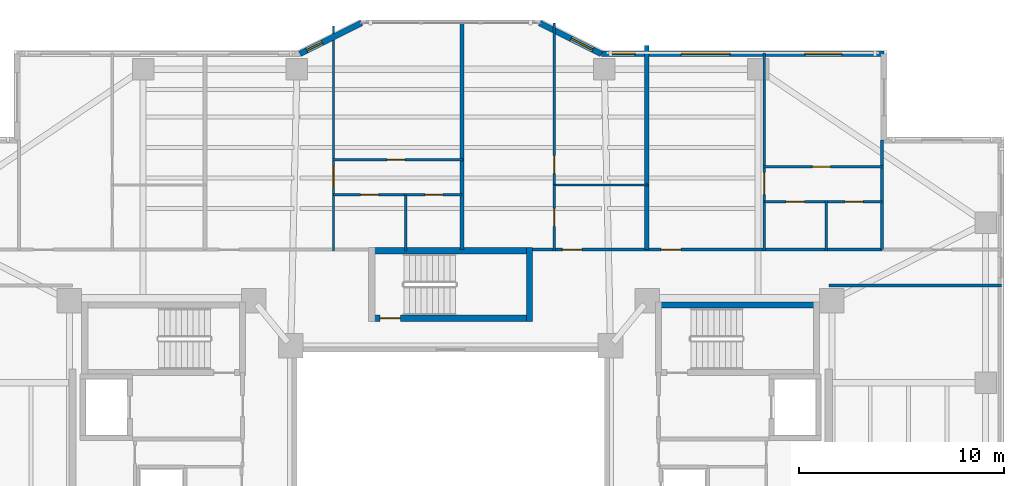
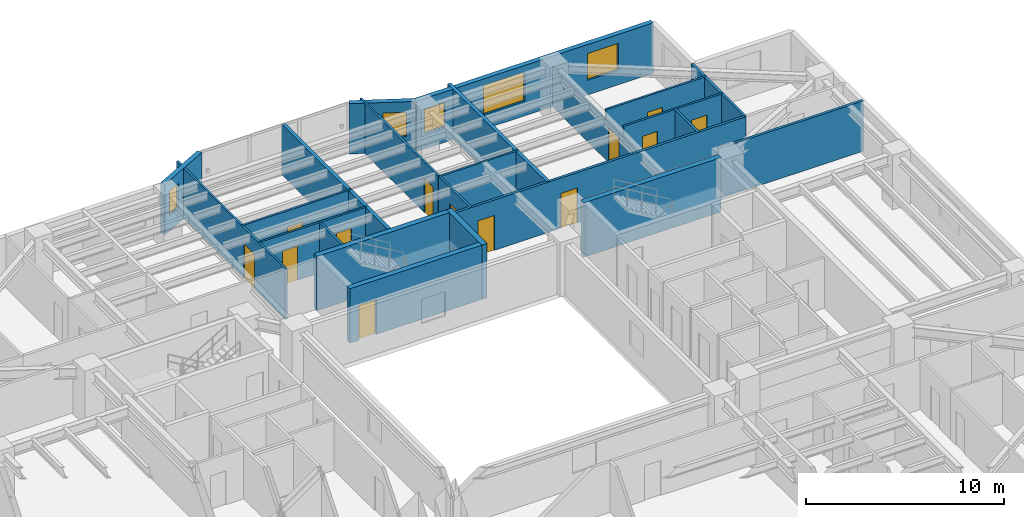
# One storey, part 10 of 18: 25 walls, 13 doors, 5 windows, 18 openings.
"""IFC4 building model written with IfcOpenShell, lengths in metres."""

import ifcopenshell
import ifcopenshell.guid

model = None  # the IFC model being written
_history = None  # IfcOwnerHistory: only IFC2X3 demands one
_inside = {}  # id of a spatial element -> (the spatial element, [elements in it])
_under = {}  # id of a project, library or spatial element -> (it, [spatial elements below it])
_declared = {}  # id of a project -> (the project, [libraries it declares])
_typed = {}  # id of a type object -> (the type object, [elements of that type])
_made_of = {}  # id of a material, layer set ... -> (it, [elements and type objects made of it])


def new_model(schema):
    """Start an empty IFC model of exactly this schema.

    Asked for "IFC4X3", IfcOpenShell would pick the latest addendum, in which some entities
    have other attributes; the version numbers below select the first issue.
    IFC2X3 requires an IfcOwnerHistory on every rooted entity: one is made here for all.
    """
    global model, _history
    if schema == "IFC4X3":
        model = ifcopenshell.file(schema_version=(4, 3, 0, 0))
    else:
        model = ifcopenshell.file(schema=schema)
    _inside.clear()
    _under.clear()
    _declared.clear()
    _typed.clear()
    _made_of.clear()
    _history = None
    if model.schema == "IFC2X3":
        org = make("IfcOrganization", Name="unknown")
        user = make(
            "IfcPersonAndOrganization",
            ThePerson=make("IfcPerson", FamilyName="unknown"),
            TheOrganization=org,
        )
        app = make(
            "IfcApplication",
            ApplicationDeveloper=org,
            Version="unknown",
            ApplicationFullName="unknown",
            ApplicationIdentifier="unknown",
        )
        _history = make(
            "IfcOwnerHistory",
            OwningUser=user,
            OwningApplication=app,
            ChangeAction="ADDED",
            CreationDate=0,
        )
    return model


def make(cls, **values):
    """One entity of the class cls with the attributes given. An attribute that is None is left unset."""
    return model.create_entity(
        cls, **{name: value for name, value in values.items() if value is not None}
    )


def rooted(cls, **values):
    """An entity with a GlobalId (a new one), such as an element, a storey or a relation."""
    return make(cls, GlobalId=ifcopenshell.guid.new(), OwnerHistory=_history, **values)


def si_unit(unit_type, name, prefix=None):
    """IfcSIUnit, for example si_unit("LENGTHUNIT", "METRE", prefix="MILLI")."""
    return make("IfcSIUnit", UnitType=unit_type, Prefix=prefix, Name=name)


def assignment(units):
    """IfcUnitAssignment: the units of a project."""
    return None if units is None else make("IfcUnitAssignment", Units=units)


def point(xyz):
    """IfcCartesianPoint."""
    return None if xyz is None else make("IfcCartesianPoint", Coordinates=xyz)


def direction(xyz):
    """IfcDirection."""
    return None if xyz is None else make("IfcDirection", DirectionRatios=xyz)


def frame(location, z_axis=None, x_axis=None):
    """IfcAxis2Placement3D, a coordinate frame: its origin and axes. An axis left out is left unset."""
    return make(
        "IfcAxis2Placement3D",
        Location=point(location),
        Axis=direction(z_axis),
        RefDirection=direction(x_axis),
    )


def frame_2d(location, x_axis=None):
    """IfcAxis2Placement2D, a coordinate frame in the plane: its origin and x axis."""
    return make(
        "IfcAxis2Placement2D", Location=point(location), RefDirection=direction(x_axis)
    )


def origin():
    """The frame at (0, 0, 0) with its axes left unset."""
    return frame((0.0, 0.0, 0.0))


def place(relative_to, where):
    """IfcLocalPlacement: puts the frame where relative to a parent placement (None: the world)."""
    return make(
        "IfcLocalPlacement", PlacementRelTo=relative_to, RelativePlacement=where
    )


def context(
    kind, dimensions, precision=None, world=None, true_north=None, identifier=None
):
    """IfcGeometricRepresentationContext, for example the 3D "Model" context."""
    return make(
        "IfcGeometricRepresentationContext",
        ContextIdentifier=identifier,
        ContextType=kind,
        CoordinateSpaceDimension=dimensions,
        Precision=precision,
        WorldCoordinateSystem=world,
        TrueNorth=true_north,
    )


def subcontext(parent, identifier, kind, view, scale=None):
    """IfcGeometricRepresentationSubContext, for example "Body" below "Model"."""
    return make(
        "IfcGeometricRepresentationSubContext",
        ContextIdentifier=identifier,
        ContextType=kind,
        ParentContext=parent,
        TargetScale=scale,
        TargetView=view,
    )


def project(units=None, contexts=None):
    """IfcProject with its units and contexts."""
    return rooted(
        "IfcProject",
        Name="project",
        RepresentationContexts=contexts,
        UnitsInContext=assignment(units),
    )


def spatial(cls, under=None, at=None, **own):
    """A site, building, storey or space (cls), placed at a placement, below another one or the project."""
    s = rooted(cls, ObjectPlacement=at, **own)
    if under is not None:
        _under.setdefault(under.id(), (under, []))[1].append(s)
    return s


def profile(cls, at=None, kind="AREA", **sizes):
    """A parametric profile (cls). Its sizes go by their IFC names, for example OverallWidth=200.0."""
    return make(cls, ProfileType=kind, Position=at, **sizes)


def rectangle(**sizes):
    """IfcRectangleProfileDef."""
    return profile("IfcRectangleProfileDef", **sizes)


def extrude(swept, where, along, depth):
    """IfcExtrudedAreaSolid: the profile swept, set in the frame where, extruded along a direction by depth."""
    return make(
        "IfcExtrudedAreaSolid",
        SweptArea=swept,
        Position=where,
        ExtrudedDirection=direction(along),
        Depth=depth,
    )


def shape(context_of_items, identifier, shape_type, items):
    """IfcShapeRepresentation: the items that make up one representation, for example the "Body"."""
    return make(
        "IfcShapeRepresentation",
        ContextOfItems=context_of_items,
        RepresentationIdentifier=identifier,
        RepresentationType=shape_type,
        Items=items,
    )


def material(Name=None, Category=None):
    """IfcMaterial."""
    return make("IfcMaterial", Name=Name, Category=Category)


def layer(
    of_material, thickness, ventilated=None, Name=None, Category=None, Priority=None
):
    """IfcMaterialLayer: one layer of a wall or slab, of a material (None: an air gap)."""
    return make(
        "IfcMaterialLayer",
        Material=of_material,
        LayerThickness=thickness,
        IsVentilated=ventilated,
        Name=Name,
        Category=Category,
        Priority=Priority,
    )


def layer_set(layers, Name=None):
    """IfcMaterialLayerSet."""
    return make("IfcMaterialLayerSet", MaterialLayers=layers, LayerSetName=Name)


def made_of(thing, what):
    """Note that an element or type object is made of a material, layer set ...; save() writes the relation."""
    if what is not None:
        _made_of.setdefault(what.id(), (what, []))[1].append(thing)
    return thing


def type_object(cls, material=None, **own):
    """A type object (cls), such as IfcWallType, which elements share."""
    return made_of(rooted(cls, **own), material)


def element(
    cls,
    number,
    at=None,
    inside=None,
    cuts=None,
    type_object=None,
    material=None,
    context=None,
    identifier="Body",
    shape_type=None,
    held_by="IfcProductDefinitionShape",
    body=None,
    shapes=None,
    **own,
):
    """One element of the class cls, such as IfcWall. Its Tag is "e" and its number.

    at: its placement. inside: the storey or other place that contains it. cuts: it is an
    opening in that element (IfcRelVoidsElement). A single representation is given by context,
    identifier, shape_type and body (its items); several are given by shapes. held_by: the class
    of the entity that holds the representations. save() writes the other relations.
    """
    e = rooted(cls, Tag="e%d" % number, ObjectPlacement=at, **own)
    if body is not None:
        shapes = [shape(context, identifier, shape_type, body)]
    if shapes is not None:
        e.Representation = make(held_by, Representations=shapes)
    if inside is not None:
        _inside.setdefault(inside.id(), (inside, []))[1].append(e)
    if cuts is not None:
        rooted(
            "IfcRelVoidsElement", RelatingBuildingElement=cuts, RelatedOpeningElement=e
        )
    if type_object is not None:
        _typed.setdefault(type_object.id(), (type_object, []))[1].append(e)
    return made_of(e, material)


def fill(opening, filler):
    """IfcRelFillsElement: the door or window that sits in an opening."""
    return rooted(
        "IfcRelFillsElement",
        RelatingOpeningElement=opening,
        RelatedBuildingElement=filler,
    )


def aggregate(whole, parts):
    """IfcRelAggregates: a whole, such as a stair, and the parts it consists of."""
    return rooted("IfcRelAggregates", RelatingObject=whole, RelatedObjects=parts)


def save(model, path):
    """Write the relations noted so far, then the file.

    IfcRelAggregates (storeys below a building ...), IfcRelContainedInSpatialStructure (elements
    in a storey), IfcRelDefinesByType, IfcRelAssociatesMaterial and IfcRelDeclares: one each for
    every whole, place, type object, material and project.
    """
    for whole, parts in _under.values():
        aggregate(whole, parts)
    for where, things in _inside.values():
        rooted(
            "IfcRelContainedInSpatialStructure",
            RelatedElements=things,
            RelatingStructure=where,
        )
    for kind, things in _typed.values():
        rooted("IfcRelDefinesByType", RelatedObjects=things, RelatingType=kind)
    for what, things in _made_of.values():
        rooted("IfcRelAssociatesMaterial", RelatedObjects=things, RelatingMaterial=what)
    for by, libraries in _declared.values():
        rooted("IfcRelDeclares", RelatingContext=by, RelatedDefinitions=libraries)
    model.write(path)


model = new_model("IFC4")

# Units and contexts
model_context = context("Model", 3, precision=1e-05, world=origin(), true_north=direction((0.0, 1.0)))
body_context = subcontext(model_context, "Body", "Model", "MODEL_VIEW")
ifc_project = project(units=[si_unit("LENGTHUNIT", "METRE"), si_unit("AREAUNIT", "SQUARE_METRE"), si_unit("VOLUMEUNIT", "CUBIC_METRE"), si_unit("PLANEANGLEUNIT", "RADIAN"), si_unit("MASSUNIT", "GRAM", prefix="KILO")], contexts=[model_context])

# Site, building, storey
site_placement = place(None, origin())
site = spatial("IfcSite", under=ifc_project, at=site_placement, CompositionType="ELEMENT")
building_placement = place(site_placement, origin())
building = spatial("IfcBuilding", under=site, at=building_placement, Name="Tarnavaz Court Tower", CompositionType="ELEMENT")
storey_placement = place(building_placement, frame((0.0, 0.0, 101.75)))
storey = spatial("IfcBuildingStorey", under=building, at=storey_placement, Name="L27", CompositionType="ELEMENT", Elevation=101.75)

# Walls
ifc_material_1 = material(Name="Concrete C60/75", Category="concrete")
ifc_layer_1 = layer(ifc_material_1, 0.300048828125)
ifc_layer_set_1 = layer_set([ifc_layer_1], Name="Concrete C60/75")
wall_type_1 = type_object("IfcWallType", Name="WL-CORE-300-C60", PredefinedType="SHEAR", material=ifc_layer_set_1)
for number, where, z_axis, x_axis, name in (
    (1, (10.0, 9.7900390625, 0.0), (0.0, 0.0, 1.0), (1.0, 0.0, 0.0), "L27 East Stair Core Wall 005"),
    (2, (-4.0, 12.43994140625, 0.0), (0.0, 0.0, 1.0), (1.0, 0.0, 0.0), "L27 North Stair Core Wall 009"),
):
    element("IfcWall", number, at=place(storey_placement, frame(where, z_axis=z_axis, x_axis=x_axis)), inside=storey, type_object=wall_type_1, Name=name, PredefinedType="SHEAR", context=body_context, shape_type="SweptSolid", body=[
        extrude(rectangle(XDim=8.0, YDim=0.300048828125, at=frame_2d((4.0, 0.0))), origin(), (0.0, 0.0, 1.0), 3.35009765625),
    ])

# Wall, opening, door
wall_1_placement = place(storey_placement, frame((-4.0, 9.14990234375, 0.0), z_axis=(0.0, 0.0, 1.0), x_axis=(1.0, 0.0, 0.0)))
wall_1 = element("IfcWall", 3, at=wall_1_placement, inside=storey, type_object=wall_type_1, Name="L27 North Stair Core Wall 010", PredefinedType="SHEAR", context=body_context, shape_type="SweptSolid", body=[
    extrude(rectangle(XDim=8.0, YDim=0.300048828125, at=frame_2d((4.0, 0.0))), origin(), (0.0, 0.0, 1.0), 3.35009765625),
])
opening_1_placement = place(wall_1_placement, frame((0.550048828125, 0.0, 0.0)))
opening_1 = element("IfcOpeningElement", 4, at=opening_1_placement, cuts=wall_1, Name="Opening D01", PredefinedType="OPENING", context=body_context, shape_type="SweptSolid", body=[
    extrude(rectangle(XDim=1.0, YDim=2.14990234375, at=frame_2d((0.5, 1.074951171875))), frame((0.0, 0.159912109375, 0.0), z_axis=(0.0, -1.0, 0.0), x_axis=(1.0, 0.0, 0.0)), (0.0, 0.0, 1.0), 0.320068359375),
])
ifc_material_2 = material(Name="Fire-Rated Hardwood Timber Core", Category="wood")
door_type_1 = type_object("IfcDoorType", Name="DR-FD90-1000", OperationType="NOTDEFINED", PredefinedType="DOOR", material=ifc_material_2)
door_1_placement = place(opening_1_placement, origin())
door_1 = element("IfcDoor", 5, at=door_1_placement, inside=storey, type_object=door_type_1, Name="L27 Stair ST-N1 Exit Door", OperationType="SINGLE_SWING_LEFT", OverallHeight=2.14990234375, OverallWidth=1.0, PredefinedType="DOOR", context=body_context, shape_type="SweptSolid", body=[
    extrude(rectangle(XDim=1.0, YDim=2.14990234375, at=frame_2d((0.5, 1.074951171875))), frame((0.0, 0.02490234375, 0.0), z_axis=(0.0, -1.0, 0.0), x_axis=(1.0, 0.0, 0.0)), (0.0, 0.0, 1.0), 0.050048828125),
])
fill(opening_1, door_1)

# Wall
wall_2_placement = place(storey_placement, frame((3.85009765625, 9.0, 0.0), z_axis=(0.0, 0.0, 1.0), x_axis=(0.0, 1.0, 0.0)))
element("IfcWall", 6, at=wall_2_placement, inside=storey, type_object=wall_type_1, Name="L27 North Stair Core Wall 012", PredefinedType="SHEAR", context=body_context, shape_type="SweptSolid", body=[
    extrude(rectangle(XDim=3.590087890625, YDim=0.300048828125, at=frame_2d((1.794921875, 0.0))), origin(), (0.0, 0.0, 1.0), 3.35009765625),
])

# Wall, opening, window
ifc_material_3 = material(Name="Precast Concrete C40/50", Category="concrete")
ifc_layer_2 = layer(ifc_material_3, 0.280029296875)
ifc_layer_set_2 = layer_set([ifc_layer_2], Name="Precast Concrete C40/50")
wall_type_2 = type_object("IfcWallType", Name="WL-EXT-280", PredefinedType="SOLIDWALL", material=ifc_layer_set_2)
wall_3_placement = place(storey_placement, frame((-7.35009765625, 22.050048828125, 0.0), z_axis=(0.0, 0.0, 1.0), x_axis=(0.894427191, 0.4472135955, 0.0)))
wall_3 = element("IfcWall", 7, at=wall_3_placement, inside=storey, type_object=wall_type_2, Name="L27 Exterior Terracotta Facade Wall 06", PredefinedType="SOLIDWALL", context=body_context, shape_type="SweptSolid", body=[
    extrude(rectangle(XDim=3.35400390625, YDim=0.280029296875, at=frame_2d((1.677001953125, 0.0))), origin(), (0.0, 0.0, 1.0), 3.10009765625),
])
opening_2_placement = place(wall_3_placement, frame((0.370849609375, 0.0, 0.949951171875)))
opening_2 = element("IfcOpeningElement", 8, at=opening_2_placement, cuts=wall_3, Name="Opening W15", PredefinedType="OPENING", context=body_context, shape_type="SweptSolid", body=[
    extrude(rectangle(XDim=0.85009765625, YDim=1.5, at=frame_2d((0.425048828125, 0.75))), frame((0.0, 0.14990234375, 0.0), z_axis=(0.0, -1.0, 0.0), x_axis=(1.0, 0.0, 0.0)), (0.0, 0.0, 1.0), 0.300048828125),
])
ifc_material_4 = material(Name="Double-Glazed Solar Low-E Glass", Category="glass")
window_type_1 = type_object("IfcWindowType", Name="WN-APT-850", PartitioningType="SINGLE_PANEL", PredefinedType="WINDOW", material=ifc_material_4)
window_1_placement = place(opening_2_placement, origin())
window_1 = element("IfcWindow", 9, at=window_1_placement, inside=storey, type_object=window_type_1, Name="L27 Flat 02 Living and Dining Room Window", OverallHeight=1.5, OverallWidth=0.85009765625, PartitioningType="SINGLE_PANEL", PredefinedType="WINDOW", context=body_context, shape_type="SweptSolid", body=[
    extrude(rectangle(XDim=0.85009765625, YDim=1.5, at=frame_2d((0.425048828125, 0.75))), frame((0.0, 0.030029296875, 0.0), z_axis=(0.0, -1.0, 0.0), x_axis=(1.0, 0.0, 0.0)), (0.0, 0.0, 1.0), 0.06005859375),
])
fill(opening_2, window_1)

wall_4_placement = place(storey_placement, frame((4.35009765625, 23.550048828125, 0.0), z_axis=(0.0, 0.0, 1.0), x_axis=(0.894427191, -0.4472135955, 0.0)))
wall_4 = element("IfcWall", 10, at=wall_4_placement, inside=storey, type_object=wall_type_2, Name="L27 Exterior Terracotta Facade Wall 08", PredefinedType="SOLIDWALL", context=body_context, shape_type="SweptSolid", body=[
    extrude(rectangle(XDim=3.35400390625, YDim=0.280029296875, at=frame_2d((1.677001953125, 0.0))), origin(), (0.0, 0.0, 1.0), 3.10009765625),
])
opening_3_placement = place(wall_4_placement, frame((1.702880859375, 0.0, 0.949951171875)))
opening_3 = element("IfcOpeningElement", 11, at=opening_3_placement, cuts=wall_4, Name="Opening W05", PredefinedType="OPENING", context=body_context, shape_type="SweptSolid", body=[
    extrude(rectangle(XDim=1.199951171875, YDim=1.5, at=frame_2d((0.60009765625, 0.75))), frame((0.0, 0.14990234375, 0.0), z_axis=(0.0, -1.0, 0.0), x_axis=(1.0, 0.0, 0.0)), (0.0, 0.0, 1.0), 0.300048828125),
])
window_type_2 = type_object("IfcWindowType", Name="WN-APT-1200", PartitioningType="SINGLE_PANEL", PredefinedType="WINDOW", material=ifc_material_4)
window_2_placement = place(opening_3_placement, origin())
window_2 = element("IfcWindow", 12, at=window_2_placement, inside=storey, type_object=window_type_2, Name="L27 Flat 03 Kitchen Window", OverallHeight=1.5, OverallWidth=1.199951171875, PartitioningType="SINGLE_PANEL", PredefinedType="WINDOW", context=body_context, shape_type="SweptSolid", body=[
    extrude(rectangle(XDim=1.199951171875, YDim=1.5, at=frame_2d((0.60009765625, 0.75))), frame((0.0, 0.030029296875, 0.0), z_axis=(0.0, -1.0, 0.0), x_axis=(1.0, 0.0, 0.0)), (0.0, 0.0, 1.0), 0.06005859375),
])
fill(opening_3, window_2)

# Wall, openings, windows
wall_5_placement = place(storey_placement, frame((7.35009765625, 22.050048828125, 0.0), z_axis=(0.0, 0.0, 1.0), x_axis=(1.0, 0.0, 0.0)))
wall_5 = element("IfcWall", 13, at=wall_5_placement, inside=storey, type_object=wall_type_2, Name="L27 Exterior Terracotta Facade Wall 09", PredefinedType="SOLIDWALL", context=body_context, shape_type="SweptSolid", body=[
    extrude(rectangle(XDim=13.7998046875, YDim=0.280029296875, at=frame_2d((6.89990234375, 0.0))), origin(), (0.0, 0.0, 1.0), 3.10009765625),
])
opening_4_placement = place(wall_5_placement, frame((0.453857421875, 0.0, 0.949951171875)))
opening_4 = element("IfcOpeningElement", 14, at=opening_4_placement, cuts=wall_5, Name="Opening W05", PredefinedType="OPENING", context=body_context, shape_type="SweptSolid", body=[
    extrude(rectangle(XDim=1.199951171875, YDim=1.5, at=frame_2d((0.60009765625, 0.75))), frame((0.0, 0.14990234375, 0.0), z_axis=(0.0, -1.0, 0.0), x_axis=(1.0, 0.0, 0.0)), (0.0, 0.0, 1.0), 0.300048828125),
])
opening_5_placement = place(wall_5_placement, frame((3.8935546875, 0.0, 0.89990234375)))
opening_5 = element("IfcOpeningElement", 15, at=opening_5_placement, cuts=wall_5, Name="Opening W06", PredefinedType="OPENING", context=body_context, shape_type="SweptSolid", body=[
    extrude(rectangle(XDim=2.39990234375, YDim=1.800048828125, at=frame_2d((1.199951171875, 0.89990234375))), frame((0.0, 0.14990234375, 0.0), z_axis=(0.0, -1.0, 0.0), x_axis=(1.0, 0.0, 0.0)), (0.0, 0.0, 1.0), 0.300048828125),
])
opening_6_placement = place(wall_5_placement, frame((9.939208984375, 0.0, 0.89990234375)))
opening_6 = element("IfcOpeningElement", 16, at=opening_6_placement, cuts=wall_5, Name="Opening W01", PredefinedType="OPENING", context=body_context, shape_type="SweptSolid", body=[
    extrude(rectangle(XDim=1.800048828125, YDim=1.64990234375, at=frame_2d((0.89990234375, 0.824951171875))), frame((0.0, 0.14990234375, 0.0), z_axis=(0.0, -1.0, 0.0), x_axis=(1.0, 0.0, 0.0)), (0.0, 0.0, 1.0), 0.300048828125),
])
window_3_placement = place(opening_4_placement, origin())
window_3 = element("IfcWindow", 17, at=window_3_placement, inside=storey, type_object=window_type_2, Name="L27 Flat 03 Kitchen Window", OverallHeight=1.5, OverallWidth=1.199951171875, PartitioningType="SINGLE_PANEL", PredefinedType="WINDOW", context=body_context, shape_type="SweptSolid", body=[
    extrude(rectangle(XDim=1.199951171875, YDim=1.5, at=frame_2d((0.60009765625, 0.75))), frame((0.0, 0.030029296875, 0.0), z_axis=(0.0, -1.0, 0.0), x_axis=(1.0, 0.0, 0.0)), (0.0, 0.0, 1.0), 0.06005859375),
])
fill(opening_4, window_3)
window_type_3 = type_object("IfcWindowType", Name="WN-APT-1800", PartitioningType="DOUBLE_PANEL_VERTICAL", PredefinedType="WINDOW", material=ifc_material_4)
window_4_placement = place(opening_6_placement, origin())
window_4 = element("IfcWindow", 18, at=window_4_placement, inside=storey, type_object=window_type_3, Name="L27 Flat 04 Bedroom 1 Window", OverallHeight=1.64990234375, OverallWidth=1.800048828125, PartitioningType="SINGLE_PANEL", PredefinedType="WINDOW", context=body_context, shape_type="SweptSolid", body=[
    extrude(rectangle(XDim=1.800048828125, YDim=1.64990234375, at=frame_2d((0.89990234375, 0.824951171875))), frame((0.0, 0.030029296875, 0.0), z_axis=(0.0, -1.0, 0.0), x_axis=(1.0, 0.0, 0.0)), (0.0, 0.0, 1.0), 0.06005859375),
])
fill(opening_6, window_4)
window_type_4 = type_object("IfcWindowType", Name="WN-APT-2400", PartitioningType="TRIPLE_PANEL_VERTICAL", PredefinedType="WINDOW", material=ifc_material_4)
window_5_placement = place(opening_5_placement, origin())
window_5 = element("IfcWindow", 19, at=window_5_placement, inside=storey, type_object=window_type_4, Name="L27 Flat 04 Living and Dining Room Window", OverallHeight=1.800048828125, OverallWidth=2.39990234375, PartitioningType="SINGLE_PANEL", PredefinedType="WINDOW", context=body_context, shape_type="SweptSolid", body=[
    extrude(rectangle(XDim=2.39990234375, YDim=1.800048828125, at=frame_2d((1.199951171875, 0.89990234375))), frame((0.0, 0.030029296875, 0.0), z_axis=(0.0, -1.0, 0.0), x_axis=(1.0, 0.0, 0.0)), (0.0, 0.0, 1.0), 0.06005859375),
])
fill(opening_5, window_5)

# Wall, openings, doors
ifc_material_5 = material(Name="Gypsum Fire-Board on Acoustic Metal Stud", Category="masonry")
ifc_layer_3 = layer(ifc_material_5, 0.14990234375)
ifc_layer_set_3 = layer_set([ifc_layer_3], Name="Gypsum Fire-Board on Acoustic Metal Stud")
wall_type_3 = type_object("IfcWallType", Name="WL-FIRE-150", PredefinedType="PARTITIONING", material=ifc_layer_set_3)
wall_6_placement = place(storey_placement, frame((3.85009765625, 12.5, 0.0), z_axis=(0.0, 0.0, 1.0), x_axis=(1.0, 0.0, 0.0)))
wall_6 = element("IfcWall", 20, at=wall_6_placement, inside=storey, type_object=wall_type_3, Name="L27 NE Wing Corridor Wall 073", PredefinedType="PARTITIONING", context=body_context, shape_type="SweptSolid", body=[
    extrude(rectangle(XDim=17.199951171875, YDim=0.14990234375, at=frame_2d((8.60009765625, 0.0))), origin(), (0.0, 0.0, 1.0), 3.10009765625),
])
opening_7_placement = place(wall_6_placement, frame((1.60009765625, 0.0, 0.0)))
opening_7 = element("IfcOpeningElement", 21, at=opening_7_placement, cuts=wall_6, Name="Opening D06", PredefinedType="OPENING", context=body_context, shape_type="SweptSolid", body=[
    extrude(rectangle(XDim=0.9599609375, YDim=2.14990234375, at=frame_2d((0.47998046875, 1.074951171875))), frame((0.0, 0.0849609375, 0.0), z_axis=(0.0, -1.0, 0.0), x_axis=(1.0, 0.0, 0.0)), (0.0, 0.0, 1.0), 0.169921875),
])
opening_8_placement = place(wall_6_placement, frame((6.419921875, 0.0, 0.0)))
opening_8 = element("IfcOpeningElement", 22, at=opening_8_placement, cuts=wall_6, Name="Opening D06", PredefinedType="OPENING", context=body_context, shape_type="SweptSolid", body=[
    extrude(rectangle(XDim=0.9599609375, YDim=2.14990234375, at=frame_2d((0.47998046875, 1.074951171875))), frame((0.0, 0.0849609375, 0.0), z_axis=(0.0, -1.0, 0.0), x_axis=(1.0, 0.0, 0.0)), (0.0, 0.0, 1.0), 0.169921875),
])
door_type_2 = type_object("IfcDoorType", Name="DR-FD60-950", OperationType="NOTDEFINED", PredefinedType="DOOR", material=ifc_material_2)
door_2_placement = place(opening_7_placement, origin())
door_2 = element("IfcDoor", 23, at=door_2_placement, inside=storey, type_object=door_type_2, Name="L27 Flat 03 Entrance Door", OperationType="SINGLE_SWING_RIGHT", OverallHeight=2.14990234375, OverallWidth=0.9599609375, PredefinedType="DOOR", context=body_context, shape_type="SweptSolid", body=[
    extrude(rectangle(XDim=0.9599609375, YDim=2.14990234375, at=frame_2d((0.47998046875, 1.074951171875))), frame((0.0, 0.02490234375, 0.0), z_axis=(0.0, -1.0, 0.0), x_axis=(1.0, 0.0, 0.0)), (0.0, 0.0, 1.0), 0.050048828125),
])
fill(opening_7, door_2)
door_3_placement = place(opening_8_placement, origin())
door_3 = element("IfcDoor", 24, at=door_3_placement, inside=storey, type_object=door_type_2, Name="L27 Flat 04 Entrance Door", OperationType="SINGLE_SWING_LEFT", OverallHeight=2.14990234375, OverallWidth=0.9599609375, PredefinedType="DOOR", context=body_context, shape_type="SweptSolid", body=[
    extrude(rectangle(XDim=0.9599609375, YDim=2.14990234375, at=frame_2d((0.47998046875, 1.074951171875))), frame((0.0, 0.02490234375, 0.0), z_axis=(0.0, -1.0, 0.0), x_axis=(1.0, 0.0, 0.0)), (0.0, 0.0, 1.0), 0.050048828125),
])
fill(opening_8, door_3)

# Walls
wall_7_placement = place(storey_placement, frame((18.449951171875, 10.75, 0.0), z_axis=(0.0, 0.0, 1.0), x_axis=(1.0, 0.0, 0.0)))
element("IfcWall", 25, at=wall_7_placement, inside=storey, type_object=wall_type_3, Name="L27 Interior Partition 116", PredefinedType="PARTITIONING", context=body_context, shape_type="SweptSolid", body=[
    extrude(rectangle(XDim=8.429931640625, YDim=0.14990234375, at=frame_2d((4.21484375, 0.0))), origin(), (0.0, 0.0, 1.0), 3.10009765625),
])
ifc_material_6 = material(Name="Autoclaved Aerated Concrete Blockwork", Category="masonry")
ifc_layer_4 = layer(ifc_material_6, 0.199951171875)
ifc_layer_set_4 = layer_set([ifc_layer_4], Name="Autoclaved Aerated Concrete Blockwork")
wall_type_4 = type_object("IfcWallType", Name="WL-FIRE-200", PredefinedType="SOLIDWALL", material=ifc_layer_set_4)
wall_8_placement = place(storey_placement, frame((0.550048828125, 12.5, 0.0), z_axis=(0.0, 0.0, 1.0), x_axis=(0.0, 1.0, 0.0)))
element("IfcWall", 26, at=wall_8_placement, inside=storey, type_object=wall_type_4, Name="L27 North Center Party Wall 076", PredefinedType="SOLIDWALL", context=body_context, shape_type="SweptSolid", body=[
    extrude(rectangle(XDim=11.080078125, YDim=0.199951171875, at=frame_2d((5.5400390625, 0.0))), origin(), (0.0, 0.0, 1.0), 3.10009765625),
])
wall_9_placement = place(storey_placement, frame((9.570068359375, 12.5, 0.0), z_axis=(0.0, 0.0, 1.0), x_axis=(0.0, 1.0, 0.0)))
element("IfcWall", 27, at=wall_9_placement, inside=storey, type_object=wall_type_4, Name="L27 Party Wall 086", PredefinedType="SOLIDWALL", context=body_context, shape_type="SweptSolid", body=[
    extrude(rectangle(XDim=9.952880859375, YDim=0.199951171875, at=frame_2d((4.9765625, 0.0))), origin(), (0.0, 0.0, 1.0), 3.10009765625),
])

# Wall, opening, door
ifc_material_7 = material(Name="Moisture-Resistant Gypsum Board Partition", Category="masonry")
ifc_layer_5 = layer(ifc_material_7, 0.1201171875)
ifc_layer_set_5 = layer_set([ifc_layer_5], Name="Moisture-Resistant Gypsum Board Partition")
wall_type_5 = type_object("IfcWallType", Name="WL-PART-120", PredefinedType="PARTITIONING", material=ifc_layer_set_5)
wall_10_placement = place(storey_placement, frame((-5.714111328125, 12.43994140625, 0.0), z_axis=(0.0, 0.0, 1.0), x_axis=(0.0, 1.0, 0.0)))
wall_10 = element("IfcWall", 28, at=wall_10_placement, inside=storey, type_object=wall_type_5, Name="L27 Interior Partition 081", PredefinedType="PARTITIONING", context=body_context, shape_type="SweptSolid", body=[
    extrude(rectangle(XDim=10.964111328125, YDim=0.1201171875, at=frame_2d((5.48193359375, 0.0))), origin(), (0.0, 0.0, 1.0), 3.10009765625),
])
opening_9_placement = place(wall_10_placement, frame((3.074951171875, 0.0, 0.0)))
opening_9 = element("IfcOpeningElement", 29, at=opening_9_placement, cuts=wall_10, Name="Opening D12", PredefinedType="OPENING", context=body_context, shape_type="SweptSolid", body=[
    extrude(rectangle(XDim=1.080078125, YDim=2.14990234375, at=frame_2d((0.5400390625, 1.074951171875))), frame((0.0, 0.070068359375, 0.0), z_axis=(0.0, -1.0, 0.0), x_axis=(1.0, 0.0, 0.0)), (0.0, 0.0, 1.0), 0.14013671875),
])
ifc_material_8 = material(Name="Engineered Oak Timber", Category="wood")
door_type_3 = type_object("IfcDoorType", Name="DR-INT-1100", OperationType="NOTDEFINED", PredefinedType="DOOR", material=ifc_material_8)
door_4_placement = place(opening_9_placement, origin())
door_4 = element("IfcDoor", 30, at=door_4_placement, inside=storey, type_object=door_type_3, Name="L27 Flat 02 Foyer Door", OperationType="SINGLE_SWING_RIGHT", OverallHeight=2.14990234375, OverallWidth=1.080078125, PredefinedType="DOOR", context=body_context, shape_type="SweptSolid", body=[
    extrude(rectangle(XDim=1.080078125, YDim=2.14990234375, at=frame_2d((0.5400390625, 1.074951171875))), frame((0.0, 0.02490234375, 0.0), z_axis=(0.0, -1.0, 0.0), x_axis=(1.0, 0.0, 0.0)), (0.0, 0.0, 1.0), 0.050048828125),
])
fill(opening_9, door_4)

wall_11_placement = place(storey_placement, frame((-5.714111328125, 15.169921875, 0.0), z_axis=(0.0, 0.0, 1.0), x_axis=(1.0, 0.0, 0.0)))
wall_11 = element("IfcWall", 31, at=wall_11_placement, inside=storey, type_object=wall_type_5, Name="L27 Interior Partition 082", PredefinedType="PARTITIONING", context=body_context, shape_type="SweptSolid", body=[
    extrude(rectangle(XDim=3.5361328125, YDim=0.1201171875, at=frame_2d((1.76806640625, 0.0))), origin(), (0.0, 0.0, 1.0), 3.10009765625),
])
opening_10_placement = place(wall_11_placement, frame((1.327880859375, 0.0, 0.0)))
opening_10 = element("IfcOpeningElement", 32, at=opening_10_placement, cuts=wall_11, Name="Opening D14", PredefinedType="OPENING", context=body_context, shape_type="SweptSolid", body=[
    extrude(rectangle(XDim=0.8798828125, YDim=2.10009765625, at=frame_2d((0.43994140625, 1.050048828125))), frame((0.0, 0.070068359375, 0.0), z_axis=(0.0, -1.0, 0.0), x_axis=(1.0, 0.0, 0.0)), (0.0, 0.0, 1.0), 0.14013671875),
])
door_type_4 = type_object("IfcDoorType", Name="DR-INT-900", OperationType="NOTDEFINED", PredefinedType="DOOR", material=ifc_material_8)
door_5_placement = place(opening_10_placement, origin())
door_5 = element("IfcDoor", 33, at=door_5_placement, inside=storey, type_object=door_type_4, Name="L27 Flat 02 Kitchen Door", OperationType="SINGLE_SWING_LEFT", OverallHeight=2.10009765625, OverallWidth=0.8798828125, PredefinedType="DOOR", context=body_context, shape_type="SweptSolid", body=[
    extrude(rectangle(XDim=0.8798828125, YDim=2.10009765625, at=frame_2d((0.43994140625, 1.050048828125))), frame((0.0, 0.02490234375, 0.0), z_axis=(0.0, -1.0, 0.0), x_axis=(1.0, 0.0, 0.0)), (0.0, 0.0, 1.0), 0.050048828125),
])
fill(opening_10, door_5)

wall_12_placement = place(storey_placement, frame((-2.177978515625, 15.169921875, 0.0), z_axis=(0.0, 0.0, 1.0), x_axis=(1.0, 0.0, 0.0)))
wall_12 = element("IfcWall", 34, at=wall_12_placement, inside=storey, type_object=wall_type_5, Name="L27 Interior Partition 083", PredefinedType="PARTITIONING", context=body_context, shape_type="SweptSolid", body=[
    extrude(rectangle(XDim=2.72802734375, YDim=0.1201171875, at=frame_2d((1.364013671875, 0.0))), origin(), (0.0, 0.0, 1.0), 3.10009765625),
])
opening_11_placement = place(wall_12_placement, frame((0.924072265625, 0.0, 0.0)))
opening_11 = element("IfcOpeningElement", 35, at=opening_11_placement, cuts=wall_12, Name="Opening D14", PredefinedType="OPENING", context=body_context, shape_type="SweptSolid", body=[
    extrude(rectangle(XDim=0.8798828125, YDim=2.10009765625, at=frame_2d((0.43994140625, 1.050048828125))), frame((0.0, 0.070068359375, 0.0), z_axis=(0.0, -1.0, 0.0), x_axis=(1.0, 0.0, 0.0)), (0.0, 0.0, 1.0), 0.14013671875),
])
door_6_placement = place(opening_11_placement, origin())
door_6 = element("IfcDoor", 36, at=door_6_placement, inside=storey, type_object=door_type_4, Name="L27 Flat 02 Bathroom Door", OperationType="SINGLE_SWING_RIGHT", OverallHeight=2.10009765625, OverallWidth=0.8798828125, PredefinedType="DOOR", context=body_context, shape_type="SweptSolid", body=[
    extrude(rectangle(XDim=0.8798828125, YDim=2.10009765625, at=frame_2d((0.43994140625, 1.050048828125))), frame((0.0, 0.02490234375, 0.0), z_axis=(0.0, -1.0, 0.0), x_axis=(1.0, 0.0, 0.0)), (0.0, 0.0, 1.0), 0.050048828125),
])
fill(opening_11, door_6)

wall_13_placement = place(storey_placement, frame((-5.77392578125, 16.8798828125, 0.0), z_axis=(0.0, 0.0, 1.0), x_axis=(1.0, 0.0, 0.0)))
wall_13 = element("IfcWall", 37, at=wall_13_placement, inside=storey, type_object=wall_type_5, Name="L27 Interior Partition 084", PredefinedType="PARTITIONING", context=body_context, shape_type="SweptSolid", body=[
    extrude(rectangle(XDim=6.384033203125, YDim=0.1201171875, at=frame_2d((3.19189453125, 0.0))), origin(), (0.0, 0.0, 1.0), 3.10009765625),
])
opening_12_placement = place(wall_13_placement, frame((2.662109375, 0.0, 0.0)))
opening_12 = element("IfcOpeningElement", 38, at=opening_12_placement, cuts=wall_13, Name="Opening D14", PredefinedType="OPENING", context=body_context, shape_type="SweptSolid", body=[
    extrude(rectangle(XDim=0.8798828125, YDim=2.10009765625, at=frame_2d((0.43994140625, 1.050048828125))), frame((0.0, 0.070068359375, 0.0), z_axis=(0.0, -1.0, 0.0), x_axis=(1.0, 0.0, 0.0)), (0.0, 0.0, 1.0), 0.14013671875),
])
door_7_placement = place(opening_12_placement, origin())
door_7 = element("IfcDoor", 39, at=door_7_placement, inside=storey, type_object=door_type_4, Name="L27 Flat 02 Bedroom 1 Door", OperationType="SINGLE_SWING_LEFT", OverallHeight=2.10009765625, OverallWidth=0.8798828125, PredefinedType="DOOR", context=body_context, shape_type="SweptSolid", body=[
    extrude(rectangle(XDim=0.8798828125, YDim=2.10009765625, at=frame_2d((0.43994140625, 1.050048828125))), frame((0.0, 0.02490234375, 0.0), z_axis=(0.0, -1.0, 0.0), x_axis=(1.0, 0.0, 0.0)), (0.0, 0.0, 1.0), 0.050048828125),
])
fill(opening_12, door_7)

# Wall
wall_14_placement = place(storey_placement, frame((-2.177978515625, 12.43994140625, 0.0), z_axis=(0.0, 0.0, 1.0), x_axis=(0.0, 1.0, 0.0)))
element("IfcWall", 40, at=wall_14_placement, inside=storey, type_object=wall_type_5, Name="L27 Interior Partition 085", PredefinedType="PARTITIONING", context=body_context, shape_type="SweptSolid", body=[
    extrude(rectangle(XDim=2.7900390625, YDim=0.1201171875, at=frame_2d((1.39501953125, 0.0))), origin(), (0.0, 0.0, 1.0), 3.10009765625),
])

# Wall, opening, door
wall_15_placement = place(storey_placement, frame((5.06005859375, 12.43994140625, 0.0), z_axis=(0.0, 0.0, 1.0), x_axis=(0.0, 1.0, 0.0)))
wall_15 = element("IfcWall", 41, at=wall_15_placement, inside=storey, type_object=wall_type_5, Name="L27 Interior Partition 087", PredefinedType="PARTITIONING", context=body_context, shape_type="SweptSolid", body=[
    extrude(rectangle(XDim=3.2099609375, YDim=0.1201171875, at=frame_2d((1.60498046875, 0.0))), origin(), (0.0, 0.0, 1.0), 3.10009765625),
])
opening_13_placement = place(wall_15_placement, frame((1.195068359375, 0.0, 0.0)))
opening_13 = element("IfcOpeningElement", 42, at=opening_13_placement, cuts=wall_15, Name="Opening D14", PredefinedType="OPENING", context=body_context, shape_type="SweptSolid", body=[
    extrude(rectangle(XDim=0.8798828125, YDim=2.10009765625, at=frame_2d((0.43994140625, 1.050048828125))), frame((0.0, 0.070068359375, 0.0), z_axis=(0.0, -1.0, 0.0), x_axis=(1.0, 0.0, 0.0)), (0.0, 0.0, 1.0), 0.14013671875),
])
door_8_placement = place(opening_13_placement, origin())
door_8 = element("IfcDoor", 43, at=door_8_placement, inside=storey, type_object=door_type_4, Name="L27 Flat 03 Bathroom Door", OperationType="SINGLE_SWING_LEFT", OverallHeight=2.10009765625, OverallWidth=0.8798828125, PredefinedType="DOOR", context=body_context, shape_type="SweptSolid", body=[
    extrude(rectangle(XDim=0.8798828125, YDim=2.10009765625, at=frame_2d((0.43994140625, 1.050048828125))), frame((0.0, 0.02490234375, 0.0), z_axis=(0.0, -1.0, 0.0), x_axis=(1.0, 0.0, 0.0)), (0.0, 0.0, 1.0), 0.050048828125),
])
fill(opening_13, door_8)

wall_16_placement = place(storey_placement, frame((5.06005859375, 15.64990234375, 0.0), z_axis=(0.0, 0.0, 1.0), x_axis=(0.0, 1.0, 0.0)))
wall_16 = element("IfcWall", 44, at=wall_16_placement, inside=storey, type_object=wall_type_5, Name="L27 Interior Partition 088", PredefinedType="PARTITIONING", context=body_context, shape_type="SweptSolid", body=[
    extrude(rectangle(XDim=7.9150390625, YDim=0.1201171875, at=frame_2d((3.95751953125, 0.0))), origin(), (0.0, 0.0, 1.0), 3.10009765625),
])
opening_14_placement = place(wall_16_placement, frame((0.550048828125, 0.0, 0.0)))
opening_14 = element("IfcOpeningElement", 45, at=opening_14_placement, cuts=wall_16, Name="Opening D14", PredefinedType="OPENING", context=body_context, shape_type="SweptSolid", body=[
    extrude(rectangle(XDim=0.8798828125, YDim=2.10009765625, at=frame_2d((0.43994140625, 1.050048828125))), frame((0.0, 0.070068359375, 0.0), z_axis=(0.0, -1.0, 0.0), x_axis=(1.0, 0.0, 0.0)), (0.0, 0.0, 1.0), 0.14013671875),
])
door_9_placement = place(opening_14_placement, origin())
door_9 = element("IfcDoor", 46, at=door_9_placement, inside=storey, type_object=door_type_4, Name="L27 Flat 03 Kitchen Door", OperationType="SINGLE_SWING_RIGHT", OverallHeight=2.10009765625, OverallWidth=0.8798828125, PredefinedType="DOOR", context=body_context, shape_type="SweptSolid", body=[
    extrude(rectangle(XDim=0.8798828125, YDim=2.10009765625, at=frame_2d((0.43994140625, 1.050048828125))), frame((0.0, 0.02490234375, 0.0), z_axis=(0.0, -1.0, 0.0), x_axis=(1.0, 0.0, 0.0)), (0.0, 0.0, 1.0), 0.050048828125),
])
fill(opening_14, door_9)

# Wall
wall_17_placement = place(storey_placement, frame((5.0, 15.64990234375, 0.0), z_axis=(0.0, 0.0, 1.0), x_axis=(1.0, 0.0, 0.0)))
element("IfcWall", 47, at=wall_17_placement, inside=storey, type_object=wall_type_5, Name="L27 Interior Partition 089", PredefinedType="PARTITIONING", context=body_context, shape_type="SweptSolid", body=[
    extrude(rectangle(XDim=4.6298828125, YDim=0.1201171875, at=frame_2d((2.31494140625, 0.0))), origin(), (0.0, 0.0, 1.0), 3.10009765625),
])

# Wall, opening, door
wall_18_placement = place(storey_placement, frame((15.31005859375, 12.43994140625, 0.0), z_axis=(0.0, 0.0, 1.0), x_axis=(0.0, 1.0, 0.0)))
wall_18 = element("IfcWall", 48, at=wall_18_placement, inside=storey, type_object=wall_type_5, Name="L27 Interior Partition 090", PredefinedType="PARTITIONING", context=body_context, shape_type="SweptSolid", body=[
    extrude(rectangle(XDim=9.66015625, YDim=0.1201171875, at=frame_2d((4.830078125, 0.0))), origin(), (0.0, 0.0, 1.0), 2.43505859375),
])
opening_15_placement = place(wall_18_placement, frame((2.735107421875, 0.0, 0.0)))
opening_15 = element("IfcOpeningElement", 49, at=opening_15_placement, cuts=wall_18, Name="Opening D12", PredefinedType="OPENING", context=body_context, shape_type="SweptSolid", body=[
    extrude(rectangle(XDim=1.080078125, YDim=2.14990234375, at=frame_2d((0.5400390625, 1.074951171875))), frame((0.0, 0.070068359375, 0.0), z_axis=(0.0, -1.0, 0.0), x_axis=(1.0, 0.0, 0.0)), (0.0, 0.0, 1.0), 0.14013671875),
])
door_10_placement = place(opening_15_placement, origin())
door_10 = element("IfcDoor", 50, at=door_10_placement, inside=storey, type_object=door_type_3, Name="L27 Flat 04 Foyer Door", OperationType="SINGLE_SWING_RIGHT", OverallHeight=2.14990234375, OverallWidth=1.080078125, PredefinedType="DOOR", context=body_context, shape_type="SweptSolid", body=[
    extrude(rectangle(XDim=1.080078125, YDim=2.14990234375, at=frame_2d((0.5400390625, 1.074951171875))), frame((0.0, 0.02490234375, 0.0), z_axis=(0.0, -1.0, 0.0), x_axis=(1.0, 0.0, 0.0)), (0.0, 0.0, 1.0), 0.050048828125),
])
fill(opening_15, door_10)

wall_19_placement = place(storey_placement, frame((15.31005859375, 14.830078125, 0.0), z_axis=(0.0, 0.0, 1.0), x_axis=(1.0, 0.0, 0.0)))
wall_19 = element("IfcWall", 51, at=wall_19_placement, inside=storey, type_object=wall_type_5, Name="L27 Interior Partition 091", PredefinedType="PARTITIONING", context=body_context, shape_type="SweptSolid", body=[
    extrude(rectangle(XDim=3.010009765625, YDim=0.1201171875, at=frame_2d((1.5048828125, 0.0))), origin(), (0.0, 0.0, 1.0), 3.10009765625),
])
opening_16_placement = place(wall_19_placement, frame((1.06494140625, 0.0, 0.0)))
opening_16 = element("IfcOpeningElement", 52, at=opening_16_placement, cuts=wall_19, Name="Opening D14", PredefinedType="OPENING", context=body_context, shape_type="SweptSolid", body=[
    extrude(rectangle(XDim=0.8798828125, YDim=2.10009765625, at=frame_2d((0.43994140625, 1.050048828125))), frame((0.0, 0.070068359375, 0.0), z_axis=(0.0, -1.0, 0.0), x_axis=(1.0, 0.0, 0.0)), (0.0, 0.0, 1.0), 0.14013671875),
])
door_11_placement = place(opening_16_placement, origin())
door_11 = element("IfcDoor", 53, at=door_11_placement, inside=storey, type_object=door_type_4, Name="L27 Flat 04 Kitchen Door", OperationType="SINGLE_SWING_LEFT", OverallHeight=2.10009765625, OverallWidth=0.8798828125, PredefinedType="DOOR", context=body_context, shape_type="SweptSolid", body=[
    extrude(rectangle(XDim=0.8798828125, YDim=2.10009765625, at=frame_2d((0.43994140625, 1.050048828125))), frame((0.0, 0.02490234375, 0.0), z_axis=(0.0, -1.0, 0.0), x_axis=(1.0, 0.0, 0.0)), (0.0, 0.0, 1.0), 0.050048828125),
])
fill(opening_16, door_11)

wall_20_placement = place(storey_placement, frame((18.320068359375, 14.830078125, 0.0), z_axis=(0.0, 0.0, 1.0), x_axis=(1.0, 0.0, 0.0)))
wall_20 = element("IfcWall", 54, at=wall_20_placement, inside=storey, type_object=wall_type_5, Name="L27 Interior Partition 092", PredefinedType="PARTITIONING", context=body_context, shape_type="SweptSolid", body=[
    extrude(rectangle(XDim=2.72998046875, YDim=0.1201171875, at=frame_2d((1.364990234375, 0.0))), origin(), (0.0, 0.0, 1.0), 3.10009765625),
])
opening_17_placement = place(wall_20_placement, frame((0.925048828125, 0.0, 0.0)))
opening_17 = element("IfcOpeningElement", 55, at=opening_17_placement, cuts=wall_20, Name="Opening D14", PredefinedType="OPENING", context=body_context, shape_type="SweptSolid", body=[
    extrude(rectangle(XDim=0.8798828125, YDim=2.10009765625, at=frame_2d((0.43994140625, 1.050048828125))), frame((0.0, 0.070068359375, 0.0), z_axis=(0.0, -1.0, 0.0), x_axis=(1.0, 0.0, 0.0)), (0.0, 0.0, 1.0), 0.14013671875),
])
door_12_placement = place(opening_17_placement, origin())
door_12 = element("IfcDoor", 56, at=door_12_placement, inside=storey, type_object=door_type_4, Name="L27 Flat 04 Bathroom Door", OperationType="SINGLE_SWING_RIGHT", OverallHeight=2.10009765625, OverallWidth=0.8798828125, PredefinedType="DOOR", context=body_context, shape_type="SweptSolid", body=[
    extrude(rectangle(XDim=0.8798828125, YDim=2.10009765625, at=frame_2d((0.43994140625, 1.050048828125))), frame((0.0, 0.02490234375, 0.0), z_axis=(0.0, -1.0, 0.0), x_axis=(1.0, 0.0, 0.0)), (0.0, 0.0, 1.0), 0.050048828125),
])
fill(opening_17, door_12)

wall_21_placement = place(storey_placement, frame((15.25, 16.5400390625, 0.0), z_axis=(0.0, 0.0, 1.0), x_axis=(1.0, 0.0, 0.0)))
wall_21 = element("IfcWall", 57, at=wall_21_placement, inside=storey, type_object=wall_type_5, Name="L27 Interior Partition 093", PredefinedType="PARTITIONING", context=body_context, shape_type="SweptSolid", body=[
    extrude(rectangle(XDim=5.860107421875, YDim=0.1201171875, at=frame_2d((2.93017578125, 0.0))), origin(), (0.0, 0.0, 1.0), 3.10009765625),
])
opening_18_placement = place(wall_21_placement, frame((2.39990234375, 0.0, 0.0)))
opening_18 = element("IfcOpeningElement", 58, at=opening_18_placement, cuts=wall_21, Name="Opening D14", PredefinedType="OPENING", context=body_context, shape_type="SweptSolid", body=[
    extrude(rectangle(XDim=0.8798828125, YDim=2.10009765625, at=frame_2d((0.43994140625, 1.050048828125))), frame((0.0, 0.070068359375, 0.0), z_axis=(0.0, -1.0, 0.0), x_axis=(1.0, 0.0, 0.0)), (0.0, 0.0, 1.0), 0.14013671875),
])
door_13_placement = place(opening_18_placement, origin())
door_13 = element("IfcDoor", 59, at=door_13_placement, inside=storey, type_object=door_type_4, Name="L27 Flat 04 Bedroom 1 Door", OperationType="SINGLE_SWING_LEFT", OverallHeight=2.10009765625, OverallWidth=0.8798828125, PredefinedType="DOOR", context=body_context, shape_type="SweptSolid", body=[
    extrude(rectangle(XDim=0.8798828125, YDim=2.10009765625, at=frame_2d((0.43994140625, 1.050048828125))), frame((0.0, 0.02490234375, 0.0), z_axis=(0.0, -1.0, 0.0), x_axis=(1.0, 0.0, 0.0)), (0.0, 0.0, 1.0), 0.050048828125),
])
fill(opening_18, door_13)

# Walls
wall_22_placement = place(storey_placement, frame((18.320068359375, 12.43994140625, 0.0), z_axis=(0.0, 0.0, 1.0), x_axis=(0.0, 1.0, 0.0)))
element("IfcWall", 60, at=wall_22_placement, inside=storey, type_object=wall_type_5, Name="L27 Interior Partition 094", PredefinedType="PARTITIONING", context=body_context, shape_type="SweptSolid", body=[
    extrude(rectangle(XDim=2.449951171875, YDim=0.1201171875, at=frame_2d((1.22509765625, 0.0))), origin(), (0.0, 0.0, 1.0), 3.10009765625),
])
ifc_material_9 = material(Name="Gypsum Plasterboard Acoustic Partition", Category="masonry")
ifc_layer_6 = layer(ifc_material_9, 0.139892578125)
ifc_layer_set_6 = layer_set([ifc_layer_6], Name="Gypsum Plasterboard Acoustic Partition")
wall_type_6 = type_object("IfcWallType", Name="WL-PART-150", PredefinedType="PARTITIONING", material=ifc_layer_set_6)
wall_23_placement = place(storey_placement, frame((21.050048828125, 12.5, 0.0), z_axis=(0.0, 0.0, 1.0), x_axis=(0.0, 1.0, 0.0)))
element("IfcWall", 61, at=wall_23_placement, inside=storey, type_object=wall_type_6, Name="L27 Interior Partition 120", PredefinedType="PARTITIONING", context=body_context, shape_type="SweptSolid", body=[
    extrude(rectangle(XDim=5.35009765625, YDim=0.139892578125, at=frame_2d((2.675048828125, 0.0))), origin(), (0.0, 0.0, 1.0), 3.10009765625),
])

save(model, "model.ifc")
